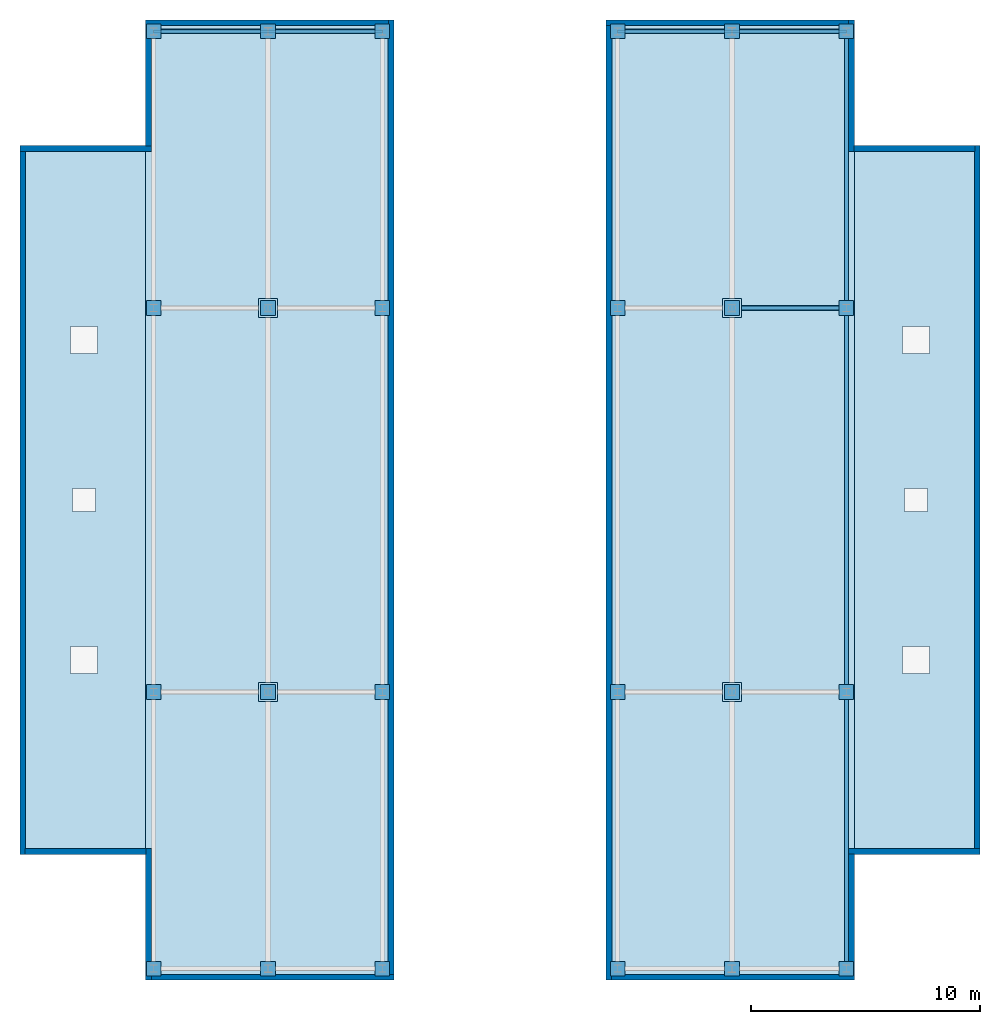
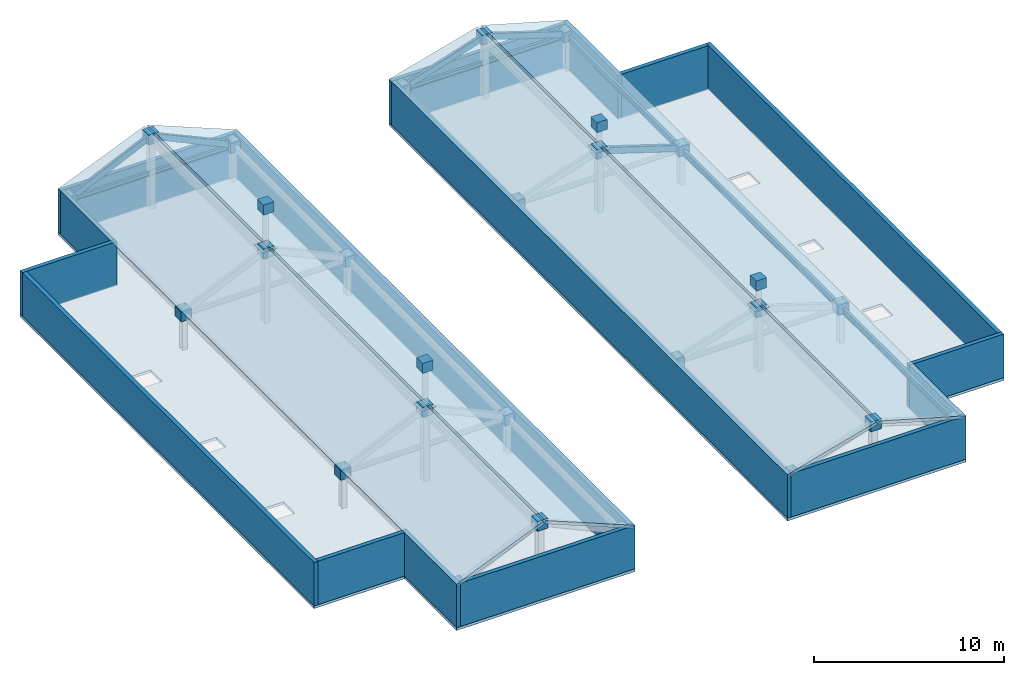
# One storey, part 8 of 9: 32 plates, 16 walls, 6 slabs, 5 members, 3 beams.
"""IFC4 building model written with IfcOpenShell, lengths in metres."""

from ifc_helpers import new_model, si_unit, direction, frame, frame_2d, origin, origin_2d, place, context, subcontext, project, spatial, polyline, rectangle, hollow_rectangle, i_section, outline, extrude, material, layer, layer_set, material_profile, profile_set, type_object, element, save


model = new_model("IFC4")

# Units and contexts
model_context = context("Model", 3, precision=1e-05, world=origin(), true_north=direction((0.0, 1.0)))
body_context = subcontext(model_context, "Body", "Model", "MODEL_VIEW")
ifc_project = project(units=[si_unit("LENGTHUNIT", "METRE"), si_unit("AREAUNIT", "SQUARE_METRE"), si_unit("VOLUMEUNIT", "CUBIC_METRE"), si_unit("PLANEANGLEUNIT", "RADIAN"), si_unit("MASSUNIT", "GRAM", prefix="KILO")], contexts=[model_context])

# Site, building, storey
site_placement = place(None, origin())
site = spatial("IfcSite", under=ifc_project, at=site_placement, CompositionType="ELEMENT")
building_placement = place(site_placement, origin())
building = spatial("IfcBuilding", under=site, at=building_placement, Name="Cairnveth Concourse Tower", CompositionType="ELEMENT")
storey_placement = place(building_placement, frame((0.0, 0.0, 335.5)))
storey = spatial("IfcBuildingStorey", under=building, at=storey_placement, Name="RF", CompositionType="ELEMENT", Elevation=335.5)

# Members
ifc_material_1 = material(Name="Steel C350L0 (350 MPa)", Category="steel")
ifc_material_profile_1 = material_profile(ifc_material_1, hollow_rectangle(XDim=0.199951171875, YDim=0.39990234375, WallThickness=0.012451171875, InnerFilletRadius=0.012939453125, OuterFilletRadius=0.02490234375, at=origin_2d()), Name="400x200x12.5RHS")
ifc_profile_set_1 = profile_set([ifc_material_profile_1], Name="Steel C350L0 (350 MPa)")
member_type = type_object("IfcMemberType", Name="CROWN GABLE CHORD 400X200X12.5RHS", PredefinedType="CHORD", material=ifc_profile_set_1)
for number, where, z_axis, x_axis, name in (
    (1, (36.85009765625, 59.5, 2.35009765625), (0.908503925861, 0.0, 0.417876317461), (0.0, 1.0, 0.0), "Structural Brace GCH-WL4 RF"),
    (2, (46.85009765625, 59.5, 2.35009765625), (-0.908503925861, 0.0, 0.417876317461), (0.0, -1.0, 0.0), "Structural Brace GCH-WR4 RF"),
):
    element("IfcMember", number, at=place(storey_placement, frame(where, z_axis=z_axis, x_axis=x_axis)), inside=storey, type_object=member_type, Name=name, PredefinedType="CHORD", context=body_context, shape_type="SweptSolid", body=[
        extrude(hollow_rectangle(XDim=0.199951171875, YDim=0.39990234375, WallThickness=0.012451171875, InnerFilletRadius=0.012939453125, OuterFilletRadius=0.02490234375, at=origin_2d()), origin(), (0.0, 0.0, 1.0), 5.503662109375),
    ])
for number, where, z_axis, x_axis, name in (
    (3, (67.14990234375, 47.39990234375, 2.35009765625), (-0.952432246511, 0.0, 0.304750415595), (0.0, -1.0, 0.0), "Structural Brace GCH-ER3 RF"),
    (4, (57.14990234375, 59.5, 2.35009765625), (0.952432246511, 0.0, 0.304750415595), (0.0, 1.0, 0.0), "Structural Brace GCH-EL4 RF"),
    (5, (67.14990234375, 59.5, 2.35009765625), (-0.952432246511, 0.0, 0.304750415595), (0.0, -1.0, 0.0), "Structural Brace GCH-ER4 RF"),
):
    element("IfcMember", number, at=place(storey_placement, frame(where, z_axis=z_axis, x_axis=x_axis)), inside=storey, type_object=member_type, Name=name, PredefinedType="CHORD", context=body_context, shape_type="SweptSolid", body=[
        extrude(hollow_rectangle(XDim=0.199951171875, YDim=0.39990234375, WallThickness=0.012451171875, InnerFilletRadius=0.012939453125, OuterFilletRadius=0.02490234375, at=origin_2d()), origin(), (0.0, 0.0, 1.0), 5.249755859375),
    ])

# Beams
ifc_material_2 = material(Name="Steel Grade 350", Category="steel")
ifc_material_profile_2 = material_profile(ifc_material_2, i_section(OverallWidth=0.14599609375, OverallDepth=0.256103515625, WebThickness=0.00634765625, FlangeThickness=0.010986328125, FilletRadius=0.009033203125, at=origin_2d()), Name="250UB37.3")
ifc_profile_set_2 = profile_set([ifc_material_profile_2], Name="Steel Grade 350")
beam_type_1 = type_object("IfcBeamType", Name="ZONE 4 FLOOR JOIST 250UB37.3", PredefinedType="JOIST", material=ifc_profile_set_2)
for number, where, z_axis, x_axis, name in (
    (6, (36.85009765625, 59.5, 2.25), (1.0, 0.0, 0.0), (0.0, 1.0, 0.0), "Crown Eaves Tie Beam W4"),
    (7, (57.14990234375, 59.5, 2.25), (1.0, 0.0, 0.0), (0.0, 1.0, 0.0), "Crown Eaves Tie Beam E4"),
):
    element("IfcBeam", number, at=place(storey_placement, frame(where, z_axis=z_axis, x_axis=x_axis)), inside=storey, type_object=beam_type_1, Name=name, PredefinedType="JOIST", context=body_context, shape_type="SweptSolid", body=[
        extrude(i_section(OverallWidth=0.14599609375, OverallDepth=0.256103515625, WebThickness=0.00634765625, FlangeThickness=0.010986328125, FilletRadius=0.009033203125, at=origin_2d()), origin(), (0.0, 0.0, 1.0), 10.0),
    ])
ifc_material_profile_3 = material_profile(ifc_material_2, i_section(OverallWidth=0.172119140625, OverallDepth=0.35888671875, WebThickness=0.008056640625, FlangeThickness=0.012939453125, FilletRadius=0.010986328125, at=origin_2d()), Name="360UB56.7")
ifc_profile_set_3 = profile_set([ifc_material_profile_3], Name="Steel Grade 350")
beam_type_2 = type_object("IfcBeamType", Name="ZONE 4 SPANDREL BEAM 360UB56.7", PredefinedType="SPANDREL", material=ifc_profile_set_3)
beam_placement = place(storey_placement, frame((67.14990234375, 18.5, 2.25), z_axis=(0.0, 1.0, 0.0), x_axis=(-1.0, 0.0, 0.0)))
element("IfcBeam", 8, at=beam_placement, inside=storey, type_object=beam_type_2, Name="Crown Peak Eave Beam RE", PredefinedType="SPANDREL", context=body_context, shape_type="SweptSolid", body=[
    extrude(i_section(OverallWidth=0.172119140625, OverallDepth=0.35888671875, WebThickness=0.008056640625, FlangeThickness=0.012939453125, FilletRadius=0.010986328125, at=origin_2d()), origin(), (0.0, 0.0, 1.0), 41.0),
])

# Plates
ifc_layer_1 = layer(ifc_material_2, 0.028076171875)
ifc_layer_set_1 = layer_set([ifc_layer_1], Name="Steel Grade 350")
plate_type_1 = type_object("IfcPlateType", Name="BELT TRUSS SPLICE CAP PLATE 28", PredefinedType="SHEET", material=ifc_layer_set_1)
for number, where, z_axis, x_axis, name in (
    (9, (36.85009765625, 18.5, 2.0302734375), (0.0, 0.0, 1.0), (1.0, 0.0, 0.0), "Structural Node Plate 1569 RF"),
    (10, (41.85009765625, 18.5, 4.330078125), (0.0, 0.0, 1.0), (1.0, 0.0, 0.0), "Structural Node Plate 1570 RF"),
    (11, (46.85009765625, 18.5, 2.0302734375), (0.0, 0.0, 1.0), (1.0, 0.0, 0.0), "Structural Node Plate 1571 RF"),
    (12, (36.85009765625, 30.60009765625, 2.0302734375), (0.0, 0.0, 1.0), (1.0, 0.0, 0.0), "Structural Node Plate 1572 RF"),
    (13, (41.85009765625, 30.60009765625, 4.330078125), (0.0, 0.0, 1.0), (1.0, 0.0, 0.0), "Structural Node Plate 1573 RF"),
    (14, (46.85009765625, 30.60009765625, 2.0302734375), (0.0, 0.0, 1.0), (1.0, 0.0, 0.0), "Structural Node Plate 1574 RF"),
    (15, (36.85009765625, 47.39990234375, 2.0302734375), (0.0, 0.0, 1.0), (1.0, 0.0, 0.0), "Structural Node Plate 1575 RF"),
    (16, (41.85009765625, 47.39990234375, 4.330078125), (0.0, 0.0, 1.0), (1.0, 0.0, 0.0), "Structural Node Plate 1576 RF"),
    (17, (46.85009765625, 47.39990234375, 2.0302734375), (0.0, 0.0, 1.0), (1.0, 0.0, 0.0), "Structural Node Plate 1577 RF"),
    (18, (36.85009765625, 59.5, 2.0302734375), (0.0, 0.0, 1.0), (1.0, 0.0, 0.0), "Structural Node Plate 1578 RF"),
    (19, (41.85009765625, 59.5, 4.330078125), (0.0, 0.0, 1.0), (1.0, 0.0, 0.0), "Structural Node Plate 1579 RF"),
    (20, (46.85009765625, 59.5, 2.0302734375), (0.0, 0.0, 1.0), (1.0, 0.0, 0.0), "Structural Node Plate 1580 RF"),
    (21, (57.14990234375, 18.5, 2.0302734375), (0.0, 0.0, 1.0), (1.0, 0.0, 0.0), "Structural Node Plate 1583 RF"),
    (22, (62.14990234375, 18.5, 3.6298828125), (0.0, 0.0, 1.0), (1.0, 0.0, 0.0), "Structural Node Plate 1584 RF"),
    (23, (67.14990234375, 18.5, 2.0302734375), (0.0, 0.0, 1.0), (1.0, 0.0, 0.0), "Structural Node Plate 1585 RF"),
    (24, (57.14990234375, 30.60009765625, 2.0302734375), (0.0, 0.0, 1.0), (1.0, 0.0, 0.0), "Structural Node Plate 1586 RF"),
    (25, (62.14990234375, 30.60009765625, 3.6298828125), (0.0, 0.0, 1.0), (1.0, 0.0, 0.0), "Structural Node Plate 1587 RF"),
    (26, (67.14990234375, 30.60009765625, 2.0302734375), (0.0, 0.0, 1.0), (1.0, 0.0, 0.0), "Structural Node Plate 1588 RF"),
    (27, (57.14990234375, 47.39990234375, 2.0302734375), (0.0, 0.0, 1.0), (1.0, 0.0, 0.0), "Structural Node Plate 1589 RF"),
    (28, (62.14990234375, 47.39990234375, 3.6298828125), (0.0, 0.0, 1.0), (1.0, 0.0, 0.0), "Structural Node Plate 1590 RF"),
    (29, (67.14990234375, 47.39990234375, 2.0302734375), (0.0, 0.0, 1.0), (1.0, 0.0, 0.0), "Structural Node Plate 1591 RF"),
    (30, (57.14990234375, 59.5, 2.0302734375), (0.0, 0.0, 1.0), (1.0, 0.0, 0.0), "Structural Node Plate 1592 RF"),
    (31, (62.14990234375, 59.5, 3.6298828125), (0.0, 0.0, 1.0), (1.0, 0.0, 0.0), "Structural Node Plate 1593 RF"),
    (32, (67.14990234375, 59.5, 2.0302734375), (0.0, 0.0, 1.0), (1.0, 0.0, 0.0), "Structural Node Plate 1594 RF"),
):
    element("IfcPlate", number, at=place(storey_placement, frame(where, z_axis=z_axis, x_axis=x_axis)), inside=storey, type_object=plate_type_1, Name=name, PredefinedType="SHEET", context=body_context, shape_type="SweptSolid", body=[
        extrude(rectangle(XDim=0.639892578125, YDim=0.639892578125, at=origin_2d()), origin(), (0.0, 0.0, 1.0), 0.639892578125),
    ])

# Slabs
ifc_material_3 = material(Name="Concrete N50 (50 MPa)", Category="concrete")
ifc_layer_2 = layer(ifc_material_3, 0.175048828125)
ifc_layer_set_2 = layer_set([ifc_layer_2], Name="Concrete N50 (50 MPa)")
slab_type_1 = type_object("IfcSlabType", Name="CROWN EAVES ROOF SLAB 175", PredefinedType="ROOF", material=ifc_layer_set_2)
slab_1_placement = place(storey_placement, frame((0.0, 0.0, -0.175048828125)))
element("IfcSlab", 33, at=slab_1_placement, inside=storey, type_object=slab_type_1, Name="West Crown Peak Roof Deck RF", PredefinedType="ROOF", context=body_context, shape_type="SweptSolid", body=[
    extrude(outline(polyline([(36.5, 18.0), (47.360107421875, 18.0), (47.360107421875, 60.0), (36.5, 60.0), (36.5, 54.5), (31.0, 54.5), (31.0, 23.5), (36.5, 23.5), (36.5, 18.0)]), holes=[polyline([(33.199951171875, 31.39990234375), (34.39990234375, 31.39990234375), (34.39990234375, 32.60009765625), (33.199951171875, 32.60009765625), (33.199951171875, 31.39990234375)]), polyline([(33.199951171875, 45.39990234375), (34.39990234375, 45.39990234375), (34.39990234375, 46.60009765625), (33.199951171875, 46.60009765625), (33.199951171875, 45.39990234375)]), polyline([(39.39990234375, 19.89990234375), (40.60009765625, 19.89990234375), (40.60009765625, 21.10009765625), (39.39990234375, 21.10009765625), (39.39990234375, 19.89990234375)]), polyline([(33.300048828125, 38.5), (34.300048828125, 38.5), (34.300048828125, 39.5), (33.300048828125, 39.5), (33.300048828125, 38.5)])]), origin(), (0.0, 0.0, 1.0), 0.175048828125),
])
slab_2_placement = place(storey_placement, frame((0.0, 0.0, -0.175048828125)))
element("IfcSlab", 34, at=slab_2_placement, inside=storey, type_object=slab_type_1, Name="East Crown Peak Roof Deck RF", PredefinedType="ROOF", context=body_context, shape_type="SweptSolid", body=[
    extrude(outline(polyline([(56.639892578125, 18.0), (67.5, 18.0), (67.5, 23.5), (73.0, 23.5), (73.0, 54.5), (67.5, 54.5), (67.5, 60.0), (56.639892578125, 60.0), (56.639892578125, 18.0)]), holes=[polyline([(69.60009765625, 31.39990234375), (70.800048828125, 31.39990234375), (70.800048828125, 32.60009765625), (69.60009765625, 32.60009765625), (69.60009765625, 31.39990234375)]), polyline([(69.60009765625, 45.39990234375), (70.800048828125, 45.39990234375), (70.800048828125, 46.60009765625), (69.60009765625, 46.60009765625), (69.60009765625, 45.39990234375)]), polyline([(63.39990234375, 19.89990234375), (64.60009765625, 19.89990234375), (64.60009765625, 21.10009765625), (63.39990234375, 21.10009765625), (63.39990234375, 19.89990234375)]), polyline([(69.699951171875, 38.5), (70.699951171875, 38.5), (70.699951171875, 39.5), (69.699951171875, 39.5), (69.699951171875, 38.5)])]), origin(), (0.0, 0.0, 1.0), 0.175048828125),
])
ifc_layer_3 = layer(ifc_material_3, 0.199951171875)
ifc_layer_set_3 = layer_set([ifc_layer_3], Name="Concrete N50 (50 MPa)")
slab_type_2 = type_object("IfcSlabType", Name="CROWN GABLED ROOF SLAB 200", PredefinedType="ROOF", material=ifc_layer_set_3)
slab_3_placement = place(storey_placement, frame((36.5, 18.0, 2.800048828125), z_axis=(-0.38585251646, 0.0, 0.922560477986), x_axis=(0.922560477986, 0.0, 0.38585251646)))
element("IfcSlab", 35, at=slab_3_placement, inside=storey, type_object=slab_type_2, Name="West Crown Gable Roof West Slope", PredefinedType="ROOF", context=body_context, shape_type="SweptSolid", body=[
    extrude(outline(polyline([(0.0, 0.0), (5.701533819342349, 0.0), (5.701533819342349, 42.00000000000001), (0.0, 42.00000000000001), (0.0, 0.0)])), origin(), (0.0, 0.0, -1.0), 0.199951171875),
])
slab_4_placement = place(storey_placement, frame((41.93994140625, 18.0, 5.0), z_axis=(0.376084839899, 0.0, 0.92658523256), x_axis=(0.92658523256, 0.0, -0.376084839899)))
element("IfcSlab", 36, at=slab_4_placement, inside=storey, type_object=slab_type_2, Name="West Crown Gable Roof East Slope", PredefinedType="ROOF", context=body_context, shape_type="SweptSolid", body=[
    extrude(outline(polyline([(0.0, 0.0), (5.8496140723615575, 0.0), (5.8496140723615575, 42.0), (0.0, 42.0), (0.0, 0.0)])), origin(), (0.0, 0.0, -1.0), 0.199951171875),
])
slab_5_placement = place(storey_placement, frame((56.639892578125, 18.0, 2.800048828125), z_axis=(-0.266719042471, 0.0, 0.963774326481), x_axis=(0.963774326481, 0.0, 0.266719042471)))
element("IfcSlab", 37, at=slab_5_placement, inside=storey, type_object=slab_type_2, Name="East Crown Gable Roof West Slope", PredefinedType="ROOF", context=body_context, shape_type="SweptSolid", body=[
    extrude(outline(polyline([(0.0, 0.0), (5.623895414829137, 0.0), (5.623895414829137, 42.0), (0.0, 42.0), (0.0, 0.0)])), origin(), (0.0, 0.0, -1.0), 0.199951171875),
])
slab_6_placement = place(storey_placement, frame((62.239990234375, 18.0, 4.300048828125), z_axis=(0.274237687271, 0.0, 0.961661942098), x_axis=(0.961661942098, 0.0, -0.274237687271)))
element("IfcSlab", 38, at=slab_6_placement, inside=storey, type_object=slab_type_2, Name="East Crown Gable Roof East Slope", PredefinedType="ROOF", context=body_context, shape_type="SweptSolid", body=[
    extrude(outline(polyline([(0.0, 0.0), (5.469707737573405, 0.0), (5.469707737573405, 42.00000000000001), (0.0, 42.00000000000001), (0.0, 0.0)])), origin(), (0.0, 0.0, -1.0), 0.199951171875),
])

# Plates
ifc_layer_4 = layer(ifc_material_2, 0.048095703125)
ifc_layer_set_4 = layer_set([ifc_layer_4], Name="Steel Grade 350")
plate_type_2 = type_object("IfcPlateType", Name="CROWN SPIRE FINIAL BASE PLATE 48", PredefinedType="USERDEFINED", material=ifc_layer_set_4)
for number, where, z_axis, x_axis, name in (
    (39, (41.85009765625, 30.60009765625, 4.7998046875), (0.0, 0.0, 1.0), (1.0, 0.0, 0.0), "Crown Spire Finial Base Plate SL1-W1"),
    (40, (41.85009765625, 47.39990234375, 4.7998046875), (0.0, 0.0, 1.0), (1.0, 0.0, 0.0), "Crown Spire Finial Base Plate SL1-W2"),
    (41, (62.14990234375, 30.60009765625, 4.10009765625), (0.0, 0.0, 1.0), (1.0, 0.0, 0.0), "Crown Spire Finial Base Plate SL1-E1"),
    (42, (62.14990234375, 47.39990234375, 4.10009765625), (0.0, 0.0, 1.0), (1.0, 0.0, 0.0), "Crown Spire Finial Base Plate SL1-E2"),
):
    element("IfcPlate", number, at=place(storey_placement, frame(where, z_axis=z_axis, x_axis=x_axis)), inside=storey, type_object=plate_type_2, Name=name, ObjectType="BASE PLATE", PredefinedType="USERDEFINED", context=body_context, shape_type="SweptSolid", body=[
        extrude(rectangle(XDim=0.85009765625, YDim=0.85009765625, at=origin_2d()), origin(), (0.0, 0.0, 1.0), 0.048095703125),
    ])
ifc_layer_5 = layer(ifc_material_2, 0.02392578125)
ifc_layer_set_5 = layer_set([ifc_layer_5], Name="Steel Grade 350")
plate_type_3 = type_object("IfcPlateType", Name="HOLLOW BRACE END CAP PLATE 24", PredefinedType="SHEET", material=ifc_layer_set_5)
for number, where, z_axis, x_axis, name in (
    (43, (41.85009765625, 30.60009765625, 7.16015625), (0.0, 0.0, 1.0), (1.0, 0.0, 0.0), "Structural Node Plate 1581 RF"),
    (44, (41.85009765625, 47.39990234375, 7.16015625), (0.0, 0.0, 1.0), (1.0, 0.0, 0.0), "Structural Node Plate 1582 RF"),
    (45, (62.14990234375, 30.60009765625, 5.35986328125), (0.0, 0.0, 1.0), (1.0, 0.0, 0.0), "Structural Node Plate 1595 RF"),
    (46, (62.14990234375, 47.39990234375, 5.35986328125), (0.0, 0.0, 1.0), (1.0, 0.0, 0.0), "Structural Node Plate 1596 RF"),
):
    element("IfcPlate", number, at=place(storey_placement, frame(where, z_axis=z_axis, x_axis=x_axis)), inside=storey, type_object=plate_type_3, Name=name, PredefinedType="SHEET", context=body_context, shape_type="SweptSolid", body=[
        extrude(rectangle(XDim=0.639892578125, YDim=0.639892578125, at=origin_2d()), origin(), (0.0, 0.0, 1.0), 0.639892578125),
    ])

# Walls
ifc_material_4 = material(Name="Hawthorn Red-Ochre Fired Clay Brick Masonry", Category="masonry")
ifc_layer_6 = layer(ifc_material_4, 0.25)
ifc_layer_set_6 = layer_set([ifc_layer_6], Name="Hawthorn Red-Ochre Fired Clay Brick Masonry")
wall_type = type_object("IfcWallType", Name="ROOF MASONRY PARAPET WALL 250", PredefinedType="PARAPET", material=ifc_layer_set_6)
wall_1_placement = place(storey_placement, frame((36.625, 18.0, 0.0), z_axis=(0.0, 0.0, 1.0), x_axis=(0.0, 1.0, 0.0)))
element("IfcWall", 47, at=wall_1_placement, inside=storey, type_object=wall_type, Name="Exterior Wall EP-RF-W1", PredefinedType="PARAPET", context=body_context, shape_type="SweptSolid", body=[
    extrude(rectangle(XDim=5.75, YDim=0.25, at=frame_2d((2.875, 0.0))), origin(), (0.0, 0.0, 1.0), 2.800048828125),
])
wall_2_placement = place(storey_placement, frame((36.52197265625, 23.625, 0.0), z_axis=(0.0, 0.0, 1.0), x_axis=(-1.0, 0.0, 0.0)))
element("IfcWall", 48, at=wall_2_placement, inside=storey, type_object=wall_type, Name="Exterior Wall EP-RF-W2", PredefinedType="PARAPET", context=body_context, shape_type="SweptSolid", body=[
    extrude(rectangle(XDim=5.2939453125, YDim=0.25, at=frame_2d((2.64697265625, 0.0))), origin(), (0.0, 0.0, 1.0), 2.800048828125),
])
wall_3_placement = place(storey_placement, frame((31.125, 23.5, 0.0), z_axis=(0.0, 0.0, 1.0), x_axis=(0.0, 1.0, 0.0)))
element("IfcWall", 49, at=wall_3_placement, inside=storey, type_object=wall_type, Name="Exterior Wall EP-RF-W3", PredefinedType="PARAPET", context=body_context, shape_type="SweptSolid", body=[
    extrude(rectangle(XDim=30.77197265625, YDim=0.25, at=frame_2d((15.385986328125, 0.0))), origin(), (0.0, 0.0, 1.0), 2.800048828125),
])
wall_4_placement = place(storey_placement, frame((31.0, 54.375, 0.0), z_axis=(0.0, 0.0, 1.0), x_axis=(1.0, 0.0, 0.0)))
element("IfcWall", 50, at=wall_4_placement, inside=storey, type_object=wall_type, Name="Exterior Wall EP-RF-W4", PredefinedType="PARAPET", context=body_context, shape_type="SweptSolid", body=[
    extrude(rectangle(XDim=5.75, YDim=0.25, at=frame_2d((2.875, 0.0))), origin(), (0.0, 0.0, 1.0), 2.800048828125),
])
wall_5_placement = place(storey_placement, frame((36.625, 54.47802734375, 0.0), z_axis=(0.0, 0.0, 1.0), x_axis=(0.0, 1.0, 0.0)))
element("IfcWall", 51, at=wall_5_placement, inside=storey, type_object=wall_type, Name="Exterior Wall EP-RF-W5", PredefinedType="PARAPET", context=body_context, shape_type="SweptSolid", body=[
    extrude(rectangle(XDim=5.2939453125, YDim=0.25, at=frame_2d((2.64697265625, 0.0))), origin(), (0.0, 0.0, 1.0), 2.800048828125),
])
wall_6_placement = place(storey_placement, frame((36.5, 59.875, 0.0), z_axis=(0.0, 0.0, 1.0), x_axis=(1.0, 0.0, 0.0)))
element("IfcWall", 52, at=wall_6_placement, inside=storey, type_object=wall_type, Name="Exterior Wall EP-RF-W6", PredefinedType="PARAPET", context=body_context, shape_type="SweptSolid", body=[
    extrude(rectangle(XDim=10.632080078125, YDim=0.25, at=frame_2d((5.31591796875, 0.0))), origin(), (0.0, 0.0, 1.0), 2.800048828125),
])
wall_7_placement = place(storey_placement, frame((47.235107421875, 60.0, 0.0), z_axis=(0.0, 0.0, 1.0), x_axis=(0.0, -1.0, 0.0)))
element("IfcWall", 53, at=wall_7_placement, inside=storey, type_object=wall_type, Name="Exterior Wall EP-RF-W7", PredefinedType="PARAPET", context=body_context, shape_type="SweptSolid", body=[
    extrude(rectangle(XDim=41.77197265625, YDim=0.25, at=frame_2d((20.885986328125, 0.0))), origin(), (0.0, 0.0, 1.0), 2.800048828125),
])
wall_8_placement = place(storey_placement, frame((47.360107421875, 18.125, 0.0), z_axis=(0.0, 0.0, 1.0), x_axis=(-1.0, 0.0, 0.0)))
element("IfcWall", 54, at=wall_8_placement, inside=storey, type_object=wall_type, Name="Exterior Wall EP-RF-W8", PredefinedType="PARAPET", context=body_context, shape_type="SweptSolid", body=[
    extrude(rectangle(XDim=10.632080078125, YDim=0.25, at=frame_2d((5.31591796875, 0.0))), origin(), (0.0, 0.0, 1.0), 2.800048828125),
])
wall_9_placement = place(storey_placement, frame((56.764892578125, 18.0, 0.0), z_axis=(0.0, 0.0, 1.0), x_axis=(0.0, 1.0, 0.0)))
element("IfcWall", 55, at=wall_9_placement, inside=storey, type_object=wall_type, Name="Exterior Wall EP-RF-E1", PredefinedType="PARAPET", context=body_context, shape_type="SweptSolid", body=[
    extrude(rectangle(XDim=41.77197265625, YDim=0.25, at=frame_2d((20.885986328125, 0.0))), origin(), (0.0, 0.0, 1.0), 2.800048828125),
])
wall_10_placement = place(storey_placement, frame((56.639892578125, 59.875, 0.0), z_axis=(0.0, 0.0, 1.0), x_axis=(1.0, 0.0, 0.0)))
element("IfcWall", 56, at=wall_10_placement, inside=storey, type_object=wall_type, Name="Exterior Wall EP-RF-E2", PredefinedType="PARAPET", context=body_context, shape_type="SweptSolid", body=[
    extrude(rectangle(XDim=10.632080078125, YDim=0.25, at=frame_2d((5.31591796875, 0.0))), origin(), (0.0, 0.0, 1.0), 2.800048828125),
])
wall_11_placement = place(storey_placement, frame((67.375, 60.0, 0.0), z_axis=(0.0, 0.0, 1.0), x_axis=(0.0, -1.0, 0.0)))
element("IfcWall", 57, at=wall_11_placement, inside=storey, type_object=wall_type, Name="Exterior Wall EP-RF-E3", PredefinedType="PARAPET", context=body_context, shape_type="SweptSolid", body=[
    extrude(rectangle(XDim=5.75, YDim=0.25, at=frame_2d((2.875, 0.0))), origin(), (0.0, 0.0, 1.0), 2.800048828125),
])
wall_12_placement = place(storey_placement, frame((67.47802734375, 54.375, 0.0), z_axis=(0.0, 0.0, 1.0), x_axis=(1.0, 0.0, 0.0)))
element("IfcWall", 58, at=wall_12_placement, inside=storey, type_object=wall_type, Name="Exterior Wall EP-RF-E4", PredefinedType="PARAPET", context=body_context, shape_type="SweptSolid", body=[
    extrude(rectangle(XDim=5.2939453125, YDim=0.25, at=frame_2d((2.64697265625, 0.0))), origin(), (0.0, 0.0, 1.0), 2.800048828125),
])
wall_13_placement = place(storey_placement, frame((72.875, 54.5, 0.0), z_axis=(0.0, 0.0, 1.0), x_axis=(0.0, -1.0, 0.0)))
element("IfcWall", 59, at=wall_13_placement, inside=storey, type_object=wall_type, Name="Exterior Wall EP-RF-E5", PredefinedType="PARAPET", context=body_context, shape_type="SweptSolid", body=[
    extrude(rectangle(XDim=30.77197265625, YDim=0.25, at=frame_2d((15.385986328125, 0.0))), origin(), (0.0, 0.0, 1.0), 2.800048828125),
])
wall_14_placement = place(storey_placement, frame((73.0, 23.625, 0.0), z_axis=(0.0, 0.0, 1.0), x_axis=(-1.0, 0.0, 0.0)))
element("IfcWall", 60, at=wall_14_placement, inside=storey, type_object=wall_type, Name="Exterior Wall EP-RF-E6", PredefinedType="PARAPET", context=body_context, shape_type="SweptSolid", body=[
    extrude(rectangle(XDim=5.75, YDim=0.25, at=frame_2d((2.875, 0.0))), origin(), (0.0, 0.0, 1.0), 2.800048828125),
])
wall_15_placement = place(storey_placement, frame((67.375, 23.52197265625, 0.0), z_axis=(0.0, 0.0, 1.0), x_axis=(0.0, -1.0, 0.0)))
element("IfcWall", 61, at=wall_15_placement, inside=storey, type_object=wall_type, Name="Exterior Wall EP-RF-E7", PredefinedType="PARAPET", context=body_context, shape_type="SweptSolid", body=[
    extrude(rectangle(XDim=5.2939453125, YDim=0.25, at=frame_2d((2.64697265625, 0.0))), origin(), (0.0, 0.0, 1.0), 2.800048828125),
])
wall_16_placement = place(storey_placement, frame((67.5, 18.125, 0.0), z_axis=(0.0, 0.0, 1.0), x_axis=(-1.0, 0.0, 0.0)))
element("IfcWall", 62, at=wall_16_placement, inside=storey, type_object=wall_type, Name="Exterior Wall EP-RF-E8", PredefinedType="PARAPET", context=body_context, shape_type="SweptSolid", body=[
    extrude(rectangle(XDim=10.632080078125, YDim=0.25, at=frame_2d((5.31591796875, 0.0))), origin(), (0.0, 0.0, 1.0), 2.800048828125),
])

save(model, "model.ifc")
